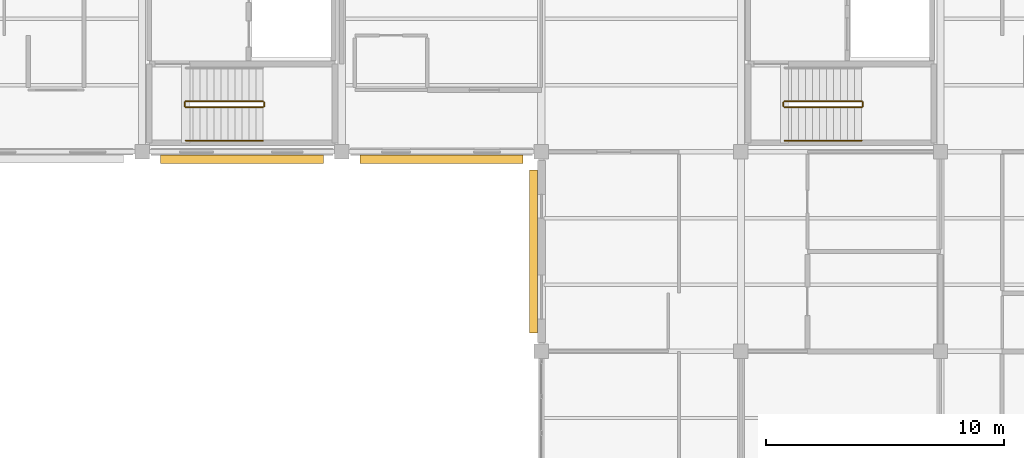
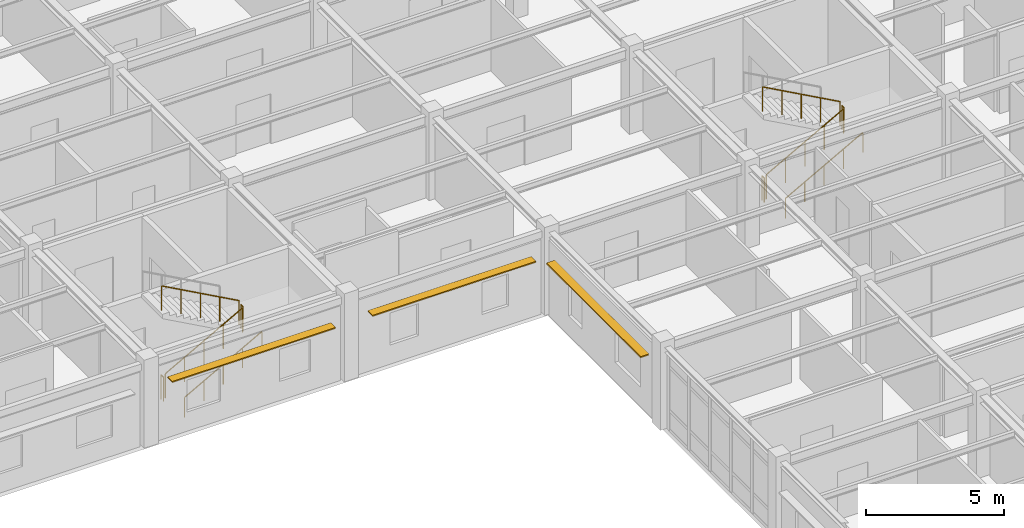
# One storey, part 65 of 70: 10 railings, 3 shading devices.
"""IFC4 building model written with IfcOpenShell, lengths in metres."""

from ifc_helpers import new_model, si_unit, direction, frame, origin, origin_2d, place, context, subcontext, project, spatial, rectangle, circle, extrude, material, material_profile, profile_set, type_object, element, save


model = new_model("IFC4")

# Units and contexts
model_context = context("Model", 3, precision=1e-05, world=origin(), true_north=direction((0.0, 1.0)))
body_context = subcontext(model_context, "Body", "Model", "MODEL_VIEW")
ifc_project = project(units=[si_unit("LENGTHUNIT", "METRE"), si_unit("AREAUNIT", "SQUARE_METRE"), si_unit("VOLUMEUNIT", "CUBIC_METRE"), si_unit("PLANEANGLEUNIT", "RADIAN"), si_unit("MASSUNIT", "GRAM", prefix="KILO")], contexts=[model_context])

# Site, building, storey
site_placement = place(None, origin())
site = spatial("IfcSite", under=ifc_project, at=site_placement, CompositionType="ELEMENT")
building_placement = place(site_placement, origin())
building = spatial("IfcBuilding", under=site, at=building_placement, Name="Bramfleet General Hospital", CompositionType="ELEMENT")
storey_placement = place(building_placement, frame((0.0, 0.0, 22.5)))
storey = spatial("IfcBuildingStorey", under=building, at=storey_placement, Name="L05", CompositionType="ELEMENT", Elevation=22.5)

# Railings
ifc_material_1 = material(Name="Powder-coated steel stair balustrade", Category="steel")
railing_type_1 = type_object("IfcRailingType", Name="RAIL-ST-GUARD", PredefinedType="GUARDRAIL", material=ifc_material_1)
railing_1_placement = place(storey_placement, frame((102.639892578125, 94.27001953125, 0.16259765625)))
element("IfcRailing", 1, at=railing_1_placement, inside=storey, type_object=railing_type_1, Name="L05 ST-C4 stair guard 1", PredefinedType="GUARDRAIL", context=body_context, shape_type="SweptSolid", body=[
    extrude(circle(Radius=0.02392578125, at=origin_2d()), frame((0.0, 0.0, 1.076171875), z_axis=(0.875926352668, 0.0, 0.482444841098), x_axis=(0.0, 1.0, 0.0)), (0.0, 0.0, 1.0), 3.704833984375),
    extrude(circle(Radius=0.02099609375, at=origin_2d()), origin(), (0.0, 0.0, 1.0), 1.052001953125),
    extrude(circle(Radius=0.02099609375, at=origin_2d()), frame((0.811279296875, 0.0, 0.44677734375)), (0.0, 0.0, 1.0), 1.052001953125),
    extrude(circle(Radius=0.02099609375, at=origin_2d()), frame((1.62255859375, 0.0, 0.8935546875)), (0.0, 0.0, 1.0), 1.052001953125),
    extrude(circle(Radius=0.02099609375, at=origin_2d()), frame((2.433837890625, 0.0, 1.340576171875)), (0.0, 0.0, 1.0), 1.052001953125),
    extrude(circle(Radius=0.02099609375, at=origin_2d()), frame((3.2451171875, 0.0, 1.787353515625)), (0.0, 0.0, 1.0), 1.052001953125),
])
railing_2_placement = place(storey_placement, frame((105.93505859375, 94.320068359375, 1.949951171875)))
element("IfcRailing", 2, at=railing_2_placement, inside=storey, type_object=railing_type_1, Name="L05 ST-C4 stair guard 2", PredefinedType="GUARDRAIL", context=body_context, shape_type="SweptSolid", body=[
    extrude(circle(Radius=0.02392578125, at=origin_2d()), frame((0.0, 0.0, 1.076171875), z_axis=(0.0, 1.0, 0.0), x_axis=(-1.0, 0.0, 0.0)), (0.0, 0.0, 1.0), 0.159912109375),
    extrude(circle(Radius=0.02099609375, at=origin_2d()), origin(), (0.0, 0.0, 1.0), 1.052001953125),
    extrude(circle(Radius=0.02099609375, at=origin_2d()), frame((0.0, 0.159912109375, 0.0)), (0.0, 0.0, 1.0), 1.052001953125),
])
railing_3_placement = place(storey_placement, frame((105.885009765625, 94.530029296875, 2.112548828125)))
element("IfcRailing", 3, at=railing_3_placement, inside=storey, type_object=railing_type_1, Name="L05 ST-C4 stair guard 3", PredefinedType="GUARDRAIL", context=body_context, shape_type="SweptSolid", body=[
    extrude(circle(Radius=0.02392578125, at=origin_2d()), frame((0.0, 0.0, 1.076171875), z_axis=(-0.875926352668, 0.0, 0.482444841098), x_axis=(0.0, -1.0, 0.0)), (0.0, 0.0, 1.0), 3.704833984375),
    extrude(circle(Radius=0.02099609375, at=origin_2d()), origin(), (0.0, 0.0, 1.0), 1.052001953125),
    extrude(circle(Radius=0.02099609375, at=origin_2d()), frame((-0.811279296875, 0.0, 0.44677734375)), (0.0, 0.0, 1.0), 1.052001953125),
    extrude(circle(Radius=0.02099609375, at=origin_2d()), frame((-1.62255859375, 0.0, 0.8935546875)), (0.0, 0.0, 1.0), 1.052001953125),
    extrude(circle(Radius=0.02099609375, at=origin_2d()), frame((-2.433837890625, 0.0, 1.340576171875)), (0.0, 0.0, 1.0), 1.052001953125),
    extrude(circle(Radius=0.02099609375, at=origin_2d()), frame((-3.2451171875, 0.0, 1.787353515625)), (0.0, 0.0, 1.0), 1.052001953125),
])
railing_4_placement = place(storey_placement, frame((102.590087890625, 94.320068359375, 0.0)))
element("IfcRailing", 4, at=railing_4_placement, inside=storey, type_object=railing_type_1, Name="L05 ST-C4 stair guard 4", PredefinedType="GUARDRAIL", context=body_context, shape_type="SweptSolid", body=[
    extrude(circle(Radius=0.02392578125, at=origin_2d()), frame((0.0, 0.0, 1.076171875), z_axis=(0.0, 1.0, 0.0), x_axis=(-1.0, 0.0, 0.0)), (0.0, 0.0, 1.0), 0.159912109375),
    extrude(circle(Radius=0.02099609375, at=origin_2d()), origin(), (0.0, 0.0, 1.0), 1.052001953125),
    extrude(circle(Radius=0.02099609375, at=origin_2d()), frame((0.0, 0.159912109375, 0.0)), (0.0, 0.0, 1.0), 1.052001953125),
])
railing_5_placement = place(storey_placement, frame((77.43994140625, 94.27001953125, 0.16259765625)))
element("IfcRailing", 5, at=railing_5_placement, inside=storey, type_object=railing_type_1, Name="L05 ST-C5 stair guard 1", PredefinedType="GUARDRAIL", context=body_context, shape_type="SweptSolid", body=[
    extrude(circle(Radius=0.02392578125, at=origin_2d()), frame((0.0, 0.0, 1.076171875), z_axis=(0.875926352668, 0.0, 0.482444841098), x_axis=(0.0, 1.0, 0.0)), (0.0, 0.0, 1.0), 3.704833984375),
    extrude(circle(Radius=0.02099609375, at=origin_2d()), origin(), (0.0, 0.0, 1.0), 1.052001953125),
    extrude(circle(Radius=0.02099609375, at=origin_2d()), frame((0.811279296875, 0.0, 0.44677734375)), (0.0, 0.0, 1.0), 1.052001953125),
    extrude(circle(Radius=0.02099609375, at=origin_2d()), frame((1.62255859375, 0.0, 0.8935546875)), (0.0, 0.0, 1.0), 1.052001953125),
    extrude(circle(Radius=0.02099609375, at=origin_2d()), frame((2.433837890625, 0.0, 1.340576171875)), (0.0, 0.0, 1.0), 1.052001953125),
    extrude(circle(Radius=0.02099609375, at=origin_2d()), frame((3.2451171875, 0.0, 1.787353515625)), (0.0, 0.0, 1.0), 1.052001953125),
])
railing_6_placement = place(storey_placement, frame((80.735107421875, 94.320068359375, 1.949951171875)))
element("IfcRailing", 6, at=railing_6_placement, inside=storey, type_object=railing_type_1, Name="L05 ST-C5 stair guard 2", PredefinedType="GUARDRAIL", context=body_context, shape_type="SweptSolid", body=[
    extrude(circle(Radius=0.02392578125, at=origin_2d()), frame((0.0, 0.0, 1.076171875), z_axis=(0.0, 1.0, 0.0), x_axis=(-1.0, 0.0, 0.0)), (0.0, 0.0, 1.0), 0.159912109375),
    extrude(circle(Radius=0.02099609375, at=origin_2d()), origin(), (0.0, 0.0, 1.0), 1.052001953125),
    extrude(circle(Radius=0.02099609375, at=origin_2d()), frame((0.0, 0.159912109375, 0.0)), (0.0, 0.0, 1.0), 1.052001953125),
])
railing_7_placement = place(storey_placement, frame((80.68505859375, 94.530029296875, 2.112548828125)))
element("IfcRailing", 7, at=railing_7_placement, inside=storey, type_object=railing_type_1, Name="L05 ST-C5 stair guard 3", PredefinedType="GUARDRAIL", context=body_context, shape_type="SweptSolid", body=[
    extrude(circle(Radius=0.02392578125, at=origin_2d()), frame((0.0, 0.0, 1.076171875), z_axis=(-0.875926352668, 0.0, 0.482444841098), x_axis=(0.0, -1.0, 0.0)), (0.0, 0.0, 1.0), 3.704833984375),
    extrude(circle(Radius=0.02099609375, at=origin_2d()), origin(), (0.0, 0.0, 1.0), 1.052001953125),
    extrude(circle(Radius=0.02099609375, at=origin_2d()), frame((-0.811279296875, 0.0, 0.44677734375)), (0.0, 0.0, 1.0), 1.052001953125),
    extrude(circle(Radius=0.02099609375, at=origin_2d()), frame((-1.62255859375, 0.0, 0.8935546875)), (0.0, 0.0, 1.0), 1.052001953125),
    extrude(circle(Radius=0.02099609375, at=origin_2d()), frame((-2.433837890625, 0.0, 1.340576171875)), (0.0, 0.0, 1.0), 1.052001953125),
    extrude(circle(Radius=0.02099609375, at=origin_2d()), frame((-3.2451171875, 0.0, 1.787353515625)), (0.0, 0.0, 1.0), 1.052001953125),
])
railing_8_placement = place(storey_placement, frame((77.389892578125, 94.320068359375, 0.0)))
element("IfcRailing", 8, at=railing_8_placement, inside=storey, type_object=railing_type_1, Name="L05 ST-C5 stair guard 4", PredefinedType="GUARDRAIL", context=body_context, shape_type="SweptSolid", body=[
    extrude(circle(Radius=0.02392578125, at=origin_2d()), frame((0.0, 0.0, 1.076171875), z_axis=(0.0, 1.0, 0.0), x_axis=(-1.0, 0.0, 0.0)), (0.0, 0.0, 1.0), 0.159912109375),
    extrude(circle(Radius=0.02099609375, at=origin_2d()), origin(), (0.0, 0.0, 1.0), 1.052001953125),
    extrude(circle(Radius=0.02099609375, at=origin_2d()), frame((0.0, 0.159912109375, 0.0)), (0.0, 0.0, 1.0), 1.052001953125),
])
ifc_material_2 = material(Name="Stainless steel 1.4301 stair handrail", Category="steel")
railing_type_2 = type_object("IfcRailingType", Name="RAIL-ST-HND", PredefinedType="HANDRAIL", material=ifc_material_2)
for number, where, name in (
    (9, (102.639892578125, 92.8701171875, 0.16259765625), "L05 ST-C4 stair handrail 1"),
    (10, (77.43994140625, 92.8701171875, 0.16259765625), "L05 ST-C5 stair handrail 1"),
):
    element("IfcRailing", number, at=place(storey_placement, frame(where)), inside=storey, type_object=railing_type_2, Name=name, PredefinedType="HANDRAIL", context=body_context, shape_type="SweptSolid", body=[
        extrude(circle(Radius=0.02392578125, at=origin_2d()), frame((0.0, 0.0, 0.8759765625), z_axis=(0.875926352668, 0.0, 0.482444841098), x_axis=(0.0, 1.0, 0.0)), (0.0, 0.0, 1.0), 3.704833984375),
        extrude(circle(Radius=0.02099609375, at=origin_2d()), origin(), (0.0, 0.0, 1.0), 0.851806640625),
        extrude(circle(Radius=0.02099609375, at=origin_2d()), frame((0.811279296875, 0.0, 0.44677734375)), (0.0, 0.0, 1.0), 0.851806640625),
        extrude(circle(Radius=0.02099609375, at=origin_2d()), frame((1.62255859375, 0.0, 0.8935546875)), (0.0, 0.0, 1.0), 0.851806640625),
        extrude(circle(Radius=0.02099609375, at=origin_2d()), frame((2.433837890625, 0.0, 1.340576171875)), (0.0, 0.0, 1.0), 0.851806640625),
        extrude(circle(Radius=0.02099609375, at=origin_2d()), frame((3.2451171875, 0.0, 1.787353515625)), (0.0, 0.0, 1.0), 0.851806640625),
    ])

# Shading devices
ifc_material_3 = material(Name="Anodised aluminium EN AW-6063", Category="aluminium")
ifc_material_profile = material_profile(ifc_material_3, rectangle(XDim=0.050048828125, YDim=0.35009765625, at=origin_2d()), Name="ALU LOUVRE 350x50")
ifc_profile_set = profile_set([ifc_material_profile], Name="Anodised aluminium EN AW-6063")
shading_device_type = type_object("IfcShadingDeviceType", Name="SHD-LVR-350", PredefinedType="USERDEFINED", material=ifc_profile_set)
for number, where, z_axis, x_axis, name in (
    (11, (92.072509765625, 84.77490234375, 2.669921875), (0.0, 1.0, 0.0), (0.0, 0.0, 1.0), "L05 Solar Shading Louvre 43"),
    (12, (91.625, 92.08251953125, 2.669921875), (-1.0, 0.0, 0.0), (0.0, 0.0, 1.0), "L05 Solar Shading Louvre 44"),
    (13, (83.22509765625, 92.092529296875, 2.669921875), (-1.0, 0.0, 0.0), (0.0, 0.0, 1.0), "L05 Solar Shading Louvre 45"),
):
    element("IfcShadingDevice", number, at=place(storey_placement, frame(where, z_axis=z_axis, x_axis=x_axis)), inside=storey, type_object=shading_device_type, Name=name, ObjectType="Louvre", PredefinedType="USERDEFINED", context=body_context, shape_type="SweptSolid", body=[
        extrude(rectangle(XDim=0.050048828125, YDim=0.35009765625, at=origin_2d()), origin(), (0.0, 0.0, 1.0), 6.85009765625),
    ])

save(model, "model.ifc")
